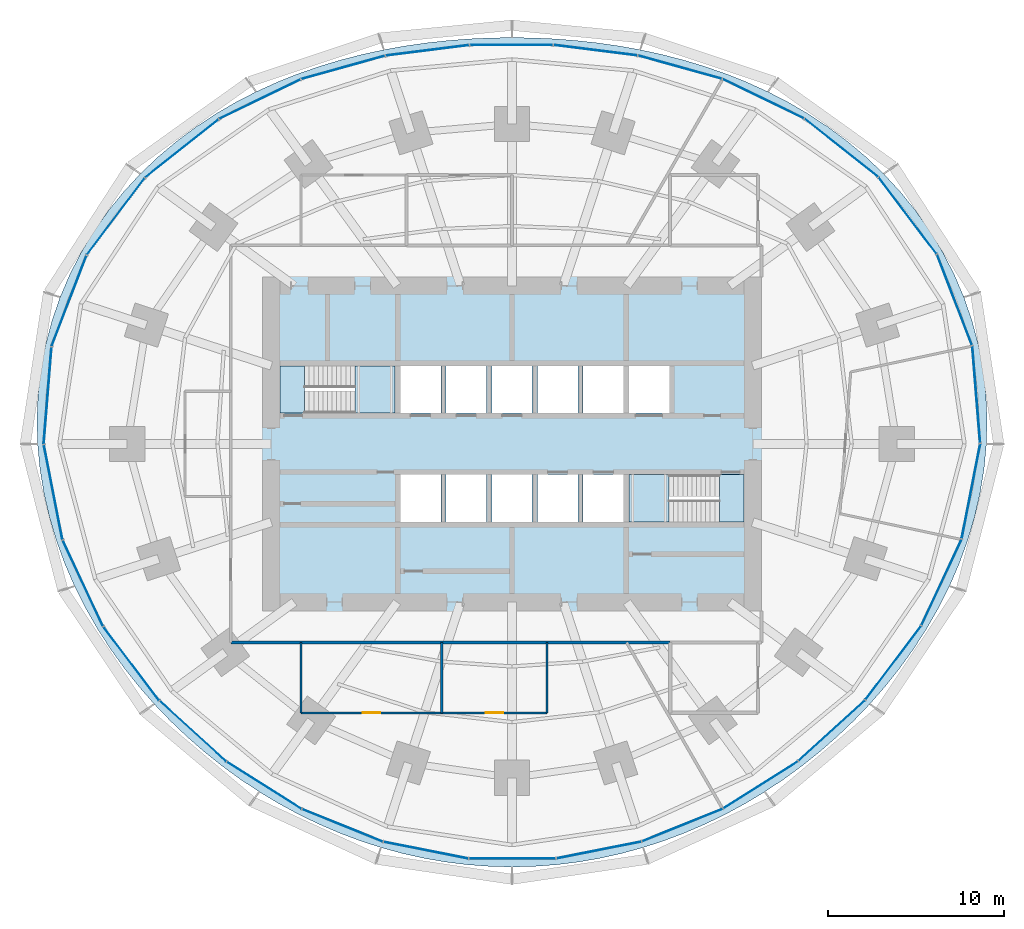
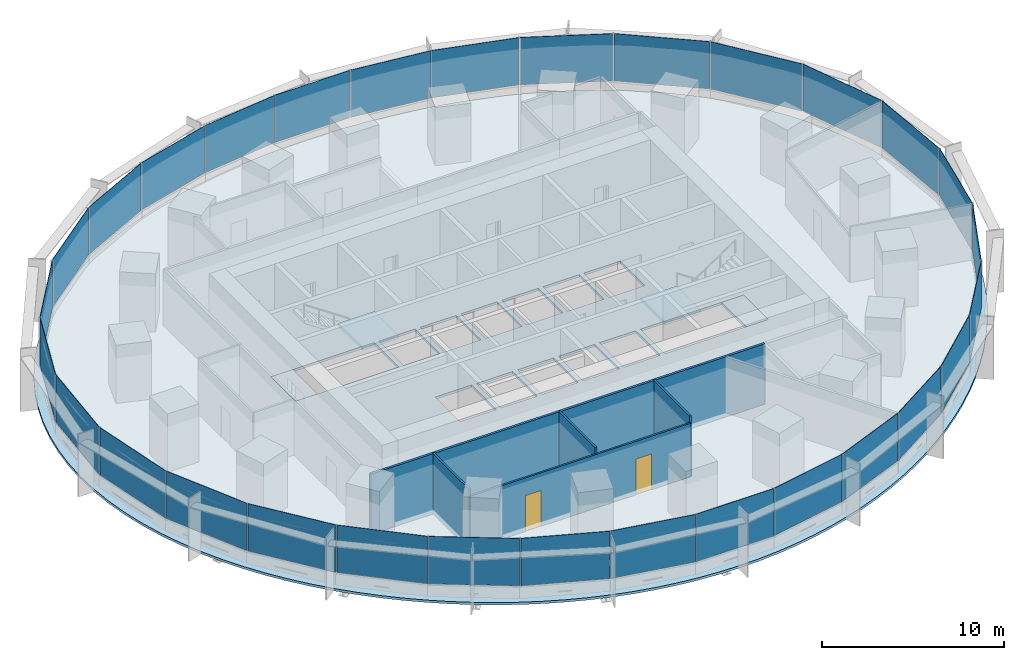
# One storey, part 10 of 15: 30 plates, 5 slabs, 5 walls, 2 doors, 2 openings, 8 elements without a shape of their own.
"""IFC4 building model written with IfcOpenShell, lengths in metres."""

from ifc_helpers import new_model, si_unit, direction, frame, frame_2d, origin, origin_2d, place, context, subcontext, project, spatial, polyline, rectangle, outline, extrude, material, layer, layer_set, type_object, element, fill, aggregate, save


model = new_model("IFC4")

# Units and contexts
model_context = context("Model", 3, precision=1e-05, world=origin(), true_north=direction((0.0, 1.0)))
body_context = subcontext(model_context, "Body", "Model", "MODEL_VIEW")
ifc_project = project(units=[si_unit("LENGTHUNIT", "METRE"), si_unit("AREAUNIT", "SQUARE_METRE"), si_unit("VOLUMEUNIT", "CUBIC_METRE"), si_unit("PLANEANGLEUNIT", "RADIAN"), si_unit("MASSUNIT", "GRAM", prefix="KILO")], contexts=[model_context])

# Site, building, storey
site_placement = place(None, origin())
site = spatial("IfcSite", under=ifc_project, at=site_placement, CompositionType="ELEMENT")
building_placement = place(site_placement, origin())
building = spatial("IfcBuilding", under=site, at=building_placement, Name="Marramba Exchange Tower", CompositionType="ELEMENT")
storey_placement = place(building_placement, frame((0.0, 0.0, 78.39990234375)))
storey = spatial("IfcBuildingStorey", under=building, at=storey_placement, Name="L18", CompositionType="ELEMENT", Elevation=78.39990234375)

# Slab
ifc_material_1 = material(Name="Concrete N40", Category="concrete")
ifc_layer_1 = layer(ifc_material_1, 0.159912109375)
ifc_layer_set_1 = layer_set([ifc_layer_1], Name="Composite floor slab 160")
slab_type_1 = type_object("IfcSlabType", Name="Composite floor slab 160", PredefinedType="FLOOR", material=ifc_layer_set_1)
slab_1_placement = place(storey_placement, frame((0.0, 0.0, -0.159912109375)))
element("IfcSlab", 1, at=slab_1_placement, inside=storey, type_object=slab_type_1, Name="Floor slab L18", PredefinedType="FLOOR", context=body_context, shape_type="SweptSolid", body=[
    extrude(outline(polyline([(27.0, 0.0), (27.035888671875, 1.4169921875), (26.97265625, 2.8349609375), (26.80859375, 4.24609375), (26.5439453125, 5.64208984375), (26.179443359375, 7.0146484375), (25.717529296875, 8.356201171875), (25.16162109375, 9.65869140625), (24.516357421875, 10.915283203125), (23.786865234375, 12.1201171875), (22.9794921875, 13.267333984375), (22.10107421875, 14.3525390625), (21.158447265625, 15.37255859375), (20.159423828125, 16.32470703125), (19.11083984375, 17.20751953125), (18.020263671875, 18.020263671875), (16.89453125, 18.763427734375), (15.740478515625, 19.437744140625), (14.563720703125, 20.04541015625), (13.3701171875, 20.588134765625), (12.164306640625, 21.069091796875), (10.9501953125, 21.4912109375), (9.7314453125, 21.857421875), (8.5107421875, 22.1708984375), (7.289794921875, 22.435302734375), (6.06982421875, 22.6533203125), (4.85205078125, 22.827392578125), (3.636474609375, 22.96044921875), (2.423095703125, 23.053955078125), (1.211181640625, 23.109619140625), (0.0, 23.1279296875), (-1.211181640625, 23.109619140625), (-2.423095703125, 23.053955078125), (-3.636474609375, 22.96044921875), (-4.85205078125, 22.827392578125), (-6.06982421875, 22.6533203125), (-7.289794921875, 22.435302734375), (-8.5107421875, 22.1708984375), (-9.7314453125, 21.857421875), (-10.9501953125, 21.4912109375), (-12.164306640625, 21.069091796875), (-13.3701171875, 20.588134765625), (-14.563720703125, 20.04541015625), (-15.740478515625, 19.437744140625), (-16.89453125, 18.763427734375), (-18.020263671875, 18.020263671875), (-19.11083984375, 17.20751953125), (-20.159423828125, 16.32470703125), (-21.158447265625, 15.37255859375), (-22.10107421875, 14.3525390625), (-22.9794921875, 13.267333984375), (-23.786865234375, 12.1201171875), (-24.516357421875, 10.915283203125), (-25.16162109375, 9.65869140625), (-25.717529296875, 8.356201171875), (-26.179443359375, 7.0146484375), (-26.5439453125, 5.64208984375), (-26.80859375, 4.24609375), (-26.97265625, 2.8349609375), (-27.035888671875, 1.4169921875), (-27.0, 0.0), (-26.8671875, -1.407958984375), (-26.64111328125, -2.800048828125), (-26.326171875, -4.169677734375), (-25.927001953125, -5.510986328125), (-25.44921875, -6.819091796875), (-24.8984375, -8.090087890625), (-24.280517578125, -9.320556640625), (-23.60107421875, -10.5078125), (-22.865234375, -11.650390625), (-22.078369140625, -12.7470703125), (-21.244873046875, -13.796630859375), (-20.36865234375, -14.798583984375), (-19.453369140625, -15.753173828125), (-18.502197265625, -16.659423828125), (-17.517578125, -17.517578125), (-16.501953125, -18.327392578125), (-15.457275390625, -19.088134765625), (-14.385009765625, -19.799072265625), (-13.286865234375, -20.459716796875), (-12.164306640625, -21.069091796875), (-11.01904296875, -21.6259765625), (-9.8525390625, -22.129150390625), (-8.66650390625, -22.577392578125), (-7.463134765625, -22.968994140625), (-6.244140625, -23.30322265625), (-5.01171875, -23.578369140625), (-3.7685546875, -23.793701171875), (-2.51708984375, -23.947998046875), (-1.260009765625, -24.041015625), (0.0, -24.072021484375), (1.260009765625, -24.041015625), (2.51708984375, -23.947998046875), (3.7685546875, -23.793701171875), (5.01171875, -23.578369140625), (6.244140625, -23.30322265625), (7.463134765625, -22.968994140625), (8.66650390625, -22.577392578125), (9.8525390625, -22.129150390625), (11.01904296875, -21.6259765625), (12.164306640625, -21.069091796875), (13.286865234375, -20.459716796875), (14.385009765625, -19.799072265625), (15.457275390625, -19.088134765625), (16.501953125, -18.327392578125), (17.517578125, -17.517578125), (18.502197265625, -16.659423828125), (19.453369140625, -15.753173828125), (20.36865234375, -14.798583984375), (21.244873046875, -13.796630859375), (22.078369140625, -12.7470703125), (22.865234375, -11.650390625), (23.60107421875, -10.5078125), (24.280517578125, -9.320556640625), (24.8984375, -8.090087890625), (25.44921875, -6.819091796875), (25.927001953125, -5.510986328125), (26.326171875, -4.169677734375), (26.64111328125, -2.800048828125), (26.8671875, -1.407958984375), (27.0, 0.0)]), holes=[polyline([(-6.35009765625, 1.75), (-4.050048828125, 1.75), (-4.050048828125, 4.449951171875), (-6.35009765625, 4.449951171875), (-6.35009765625, 1.75)]), polyline([(-3.75, 1.75), (-1.449951171875, 1.75), (-1.449951171875, 4.449951171875), (-3.75, 4.449951171875), (-3.75, 1.75)]), polyline([(-1.14990234375, 1.75), (1.14990234375, 1.75), (1.14990234375, 4.449951171875), (-1.14990234375, 4.449951171875), (-1.14990234375, 1.75)]), polyline([(1.449951171875, 1.75), (3.75, 1.75), (3.75, 4.449951171875), (1.449951171875, 4.449951171875), (1.449951171875, 1.75)]), polyline([(4.050048828125, 1.75), (6.35009765625, 1.75), (6.35009765625, 4.449951171875), (4.050048828125, 4.449951171875), (4.050048828125, 1.75)]), polyline([(-6.35009765625, -4.449951171875), (-4.050048828125, -4.449951171875), (-4.050048828125, -1.75), (-6.35009765625, -1.75), (-6.35009765625, -4.449951171875)]), polyline([(-3.75, -4.449951171875), (-1.449951171875, -4.449951171875), (-1.449951171875, -1.75), (-3.75, -1.75), (-3.75, -4.449951171875)]), polyline([(-1.14990234375, -4.449951171875), (1.14990234375, -4.449951171875), (1.14990234375, -1.75), (-1.14990234375, -1.75), (-1.14990234375, -4.449951171875)]), polyline([(1.449951171875, -4.449951171875), (3.75, -4.449951171875), (3.75, -1.75), (1.449951171875, -1.75), (1.449951171875, -4.449951171875)]), polyline([(4.050048828125, -4.449951171875), (6.35009765625, -4.449951171875), (6.35009765625, -1.75), (4.050048828125, -1.75), (4.050048828125, -4.449951171875)]), polyline([(6.64990234375, 1.75), (8.949951171875, 1.75), (8.949951171875, 4.449951171875), (6.64990234375, 4.449951171875), (6.64990234375, 1.75)]), polyline([(-13.199951171875, 1.75), (-6.64990234375, 1.75), (-6.64990234375, 4.449951171875), (-13.199951171875, 4.449951171875), (-13.199951171875, 1.75)]), polyline([(6.64990234375, -4.449951171875), (13.199951171875, -4.449951171875), (13.199951171875, -1.75), (6.64990234375, -1.75), (6.64990234375, -4.449951171875)])]), origin(), (0.0, 0.0, 1.0), 0.159912109375),
])

# Stair, slabs
ifc_material_2 = material(Name="Concrete N40 (40 MPa)", Category="concrete")
stair_type_1 = type_object("IfcStairType", Name="Exit stair ST1 4200 x 1250", PredefinedType="HALF_TURN_STAIR", material=ifc_material_2)
stair_1_placement = place(storey_placement, origin())
stair_1 = element("IfcStair", 2, at=stair_1_placement, inside=storey, type_object=stair_type_1, Name="Exit stair ST1 L18", PredefinedType="HALF_TURN_STAIR")
ifc_layer_2 = layer(ifc_material_2, 0.199951171875)
ifc_layer_set_2 = layer_set([ifc_layer_2], Name="Stair landing 200")
slab_type_2 = type_object("IfcSlabType", Name="Stair landing 200", PredefinedType="LANDING", material=ifc_layer_set_2)
slab_2_placement = place(storey_placement, frame((0.0, 0.0, -0.199951171875)))
slab_2 = element("IfcSlab", 3, at=slab_2_placement, type_object=slab_type_2, Name="ST1 landing 1", PredefinedType="LANDING", context=body_context, shape_type="SweptSolid", body=[
    extrude(outline(polyline([(-13.199951171875, 1.75), (-11.800048828125, 1.75), (-11.800048828125, 4.449951171875), (-13.199951171875, 4.449951171875), (-13.199951171875, 1.75)])), origin(), (0.0, 0.0, 1.0), 0.199951171875),
])
slab_3_placement = place(storey_placement, frame((0.0, 0.0, 1.900146484375)))
slab_3 = element("IfcSlab", 4, at=slab_3_placement, type_object=slab_type_2, Name="ST1 landing 2", PredefinedType="LANDING", context=body_context, shape_type="SweptSolid", body=[
    extrude(outline(polyline([(-8.93994140625, 1.75), (-6.64990234375, 1.75), (-6.64990234375, 4.449951171875), (-8.93994140625, 4.449951171875), (-8.93994140625, 1.75)])), origin(), (0.0, 0.0, 1.0), 0.199951171875),
])
aggregate(stair_1, [slab_2, slab_3])

stair_type_2 = type_object("IfcStairType", Name="Exit stair ST2 4200 x 1250", PredefinedType="HALF_TURN_STAIR", material=ifc_material_2)
stair_2_placement = place(storey_placement, origin())
stair_2 = element("IfcStair", 5, at=stair_2_placement, inside=storey, type_object=stair_type_2, Name="Exit stair ST2 L18", PredefinedType="HALF_TURN_STAIR")
slab_4_placement = place(storey_placement, frame((0.0, 0.0, -0.199951171875)))
slab_4 = element("IfcSlab", 6, at=slab_4_placement, type_object=slab_type_2, Name="ST2 landing 1", PredefinedType="LANDING", context=body_context, shape_type="SweptSolid", body=[
    extrude(outline(polyline([(11.800048828125, -4.449951171875), (13.199951171875, -4.449951171875), (13.199951171875, -1.75), (11.800048828125, -1.75), (11.800048828125, -4.449951171875)])), origin(), (0.0, 0.0, 1.0), 0.199951171875),
])
slab_5_placement = place(storey_placement, frame((0.0, 0.0, 1.900146484375)))
slab_5 = element("IfcSlab", 7, at=slab_5_placement, type_object=slab_type_2, Name="ST2 landing 2", PredefinedType="LANDING", context=body_context, shape_type="SweptSolid", body=[
    extrude(outline(polyline([(6.64990234375, -4.449951171875), (8.93994140625, -4.449951171875), (8.93994140625, -1.75), (6.64990234375, -1.75), (6.64990234375, -4.449951171875)])), origin(), (0.0, 0.0, 1.0), 0.199951171875),
])
aggregate(stair_2, [slab_4, slab_5])

# Curtain wall, plates
ifc_material_3 = material(Name="Aluminium framing, bronze anodised", Category="aluminium")
curtain_wall_type = type_object("IfcCurtainWallType", Name="Trading floor ribbon curtain wall", PredefinedType="USERDEFINED", material=ifc_material_3)
curtain_wall_1_placement = place(storey_placement, origin())
curtain_wall_1 = element("IfcCurtainWall", 8, at=curtain_wall_1_placement, inside=storey, type_object=curtain_wall_type, Name="Curtain wall CW3 L18 F01-F05", ObjectType="RIBBON CURTAIN WALL", PredefinedType="USERDEFINED")
ifc_material_4 = material(Name="Double glazed unit 10 + 12 + 8.76, bronze tinted", Category="glass")
ifc_layer_3 = layer(ifc_material_4, 0.03076171875)
ifc_layer_set_3 = layer_set([ifc_layer_3], Name="Trading floor ribbon curtain wall panel")
plate_type = type_object("IfcPlateType", Name="Trading floor ribbon curtain wall panel", PredefinedType="CURTAIN_PANEL", material=ifc_layer_set_3)
plate_1_placement = place(storey_placement, frame((26.42333984375, 2.814453125, 0.8603515625), z_axis=(0.0, 0.0, 1.0), x_axis=(-0.080275225953, 0.996772736434, 0.0)))
plate_1 = element("IfcPlate", 9, at=plate_1_placement, type_object=plate_type, Name="CW3 vision panel", PredefinedType="CURTAIN_PANEL", context=body_context, shape_type="SweptSolid", body=[
    extrude(rectangle(XDim=5.52734375, YDim=0.03076171875, at=origin_2d()), origin(), (0.0, 0.0, 1.0), 3.179931640625),
])
plate_2_placement = place(storey_placement, frame((25.188232421875, 8.19921875, 0.8603515625), z_axis=(0.0, 0.0, 1.0), x_axis=(-0.359525510698, 0.933135256626, 0.0)))
plate_2 = element("IfcPlate", 10, at=plate_2_placement, type_object=plate_type, Name="CW3 vision panel", PredefinedType="CURTAIN_PANEL", context=body_context, shape_type="SweptSolid", body=[
    extrude(rectangle(XDim=5.5166015625, YDim=0.03076171875, at=origin_2d()), origin(), (0.0, 0.0, 1.0), 3.179931640625),
])
plate_3_placement = place(storey_placement, frame((22.517822265625, 12.993896484375, 0.8603515625), z_axis=(0.0, 0.0, 1.0), x_axis=(-0.602989765036, 0.797748922445, 0.0)))
plate_3 = element("IfcPlate", 11, at=plate_3_placement, type_object=plate_type, Name="CW3 vision panel", PredefinedType="CURTAIN_PANEL", context=body_context, shape_type="SweptSolid", body=[
    extrude(rectangle(XDim=5.44775390625, YDim=0.03076171875, at=origin_2d()), origin(), (0.0, 0.0, 1.0), 3.179931640625),
])
plate_4_placement = place(storey_placement, frame((18.744384765625, 16.853759765625, 0.8603515625), z_axis=(0.0, 0.0, 1.0), x_axis=(-0.784087949432, 0.620649730166, 0.0)))
plate_4 = element("IfcPlate", 12, at=plate_4_placement, type_object=plate_type, Name="CW3 vision panel", PredefinedType="CURTAIN_PANEL", context=body_context, shape_type="SweptSolid", body=[
    extrude(rectangle(XDim=5.315673828125, YDim=0.03076171875, at=origin_2d()), origin(), (0.0, 0.0, 1.0), 3.179931640625),
])
plate_5_placement = place(storey_placement, frame((14.2978515625, 19.647705078125, 0.8603515625), z_axis=(0.0, 0.0, 1.0), x_axis=(-0.899963433508, 0.43596538664, 0.0)))
plate_5 = element("IfcPlate", 13, at=plate_5_placement, type_object=plate_type, Name="CW3 vision panel", PredefinedType="CURTAIN_PANEL", context=body_context, shape_type="SweptSolid", body=[
    extrude(rectangle(XDim=5.13037109375, YDim=0.03076171875, at=origin_2d()), origin(), (0.0, 0.0, 1.0), 3.179931640625),
])
aggregate(curtain_wall_1, [plate_1, plate_2, plate_3, plate_4, plate_5])

curtain_wall_2_placement = place(storey_placement, origin())
curtain_wall_2 = element("IfcCurtainWall", 14, at=curtain_wall_2_placement, inside=storey, type_object=curtain_wall_type, Name="Curtain wall CW3 L18 F06-F10", ObjectType="RIBBON CURTAIN WALL", PredefinedType="USERDEFINED")
plate_6_placement = place(storey_placement, frame((9.556396484375, 21.4423828125, 0.8603515625), z_axis=(0.0, 0.0, 1.0), x_axis=(-0.963472096649, 0.267808735815, 0.0)))
plate_6 = element("IfcPlate", 15, at=plate_6_placement, type_object=plate_type, Name="CW3 vision panel", PredefinedType="CURTAIN_PANEL", context=body_context, shape_type="SweptSolid", body=[
    extrude(rectangle(XDim=4.929931640625, YDim=0.03076171875, at=origin_2d()), origin(), (0.0, 0.0, 1.0), 3.179931640625),
])
plate_7_placement = place(storey_placement, frame((4.754150390625, 22.407958984375, 0.8603515625), z_axis=(0.0, 0.0, 1.0), x_axis=(-0.992172768738, 0.124872723099, 0.0)))
plate_7 = element("IfcPlate", 16, at=plate_7_placement, type_object=plate_type, Name="CW3 vision panel", PredefinedType="CURTAIN_PANEL", context=body_context, shape_type="SweptSolid", body=[
    extrude(rectangle(XDim=4.77294921875, YDim=0.03076171875, at=origin_2d()), origin(), (0.0, 0.0, 1.0), 3.179931640625),
])
plate_8_placement = place(storey_placement, frame((-0.030029296875, 22.7060546875, 0.8603515625), z_axis=(0.0, 0.0, 1.0), x_axis=(-1.0, 0.0, 0.0)))
plate_8 = element("IfcPlate", 17, at=plate_8_placement, type_object=plate_type, Name="CW3 vision panel", PredefinedType="CURTAIN_PANEL", context=body_context, shape_type="SweptSolid", body=[
    extrude(rectangle(XDim=4.712890625, YDim=0.03076171875, at=origin_2d()), origin(), (0.0, 0.0, 1.0), 3.179931640625),
])
plate_9_placement = place(storey_placement, frame((-4.813720703125, 22.400390625, 0.8603515625), z_axis=(0.0, 0.0, 1.0), x_axis=(-0.992172768738, -0.124872723099, 0.0)))
plate_9 = element("IfcPlate", 18, at=plate_9_placement, type_object=plate_type, Name="CW3 vision panel", PredefinedType="CURTAIN_PANEL", context=body_context, shape_type="SweptSolid", body=[
    extrude(rectangle(XDim=4.77294921875, YDim=0.03076171875, at=origin_2d()), origin(), (0.0, 0.0, 1.0), 3.179931640625),
])
plate_10_placement = place(storey_placement, frame((-9.6142578125, 21.42626953125, 0.8603515625), z_axis=(0.0, 0.0, 1.0), x_axis=(-0.963472096649, -0.267808735815, 0.0)))
plate_10 = element("IfcPlate", 19, at=plate_10_placement, type_object=plate_type, Name="CW3 vision panel", PredefinedType="CURTAIN_PANEL", context=body_context, shape_type="SweptSolid", body=[
    extrude(rectangle(XDim=4.929931640625, YDim=0.03076171875, at=origin_2d()), origin(), (0.0, 0.0, 1.0), 3.179931640625),
])
aggregate(curtain_wall_2, [plate_6, plate_7, plate_8, plate_9, plate_10])

curtain_wall_3_placement = place(storey_placement, origin())
curtain_wall_3 = element("IfcCurtainWall", 20, at=curtain_wall_3_placement, inside=storey, type_object=curtain_wall_type, Name="Curtain wall CW3 L18 F11-F15", ObjectType="RIBBON CURTAIN WALL", PredefinedType="USERDEFINED")
plate_11_placement = place(storey_placement, frame((-14.351806640625, 19.62158203125, 0.8603515625), z_axis=(0.0, 0.0, 1.0), x_axis=(-0.899963433508, -0.43596538664, 0.0)))
plate_11 = element("IfcPlate", 21, at=plate_11_placement, type_object=plate_type, Name="CW3 vision panel", PredefinedType="CURTAIN_PANEL", context=body_context, shape_type="SweptSolid", body=[
    extrude(rectangle(XDim=5.13037109375, YDim=0.03076171875, at=origin_2d()), origin(), (0.0, 0.0, 1.0), 3.179931640625),
])
plate_12_placement = place(storey_placement, frame((-18.79150390625, 16.81640625, 0.8603515625), z_axis=(0.0, 0.0, 1.0), x_axis=(-0.784087949432, -0.620649730166, 0.0)))
plate_12 = element("IfcPlate", 22, at=plate_12_placement, type_object=plate_type, Name="CW3 vision panel", PredefinedType="CURTAIN_PANEL", context=body_context, shape_type="SweptSolid", body=[
    extrude(rectangle(XDim=5.315673828125, YDim=0.03076171875, at=origin_2d()), origin(), (0.0, 0.0, 1.0), 3.179931640625),
])
plate_13_placement = place(storey_placement, frame((-22.553955078125, 12.946044921875, 0.8603515625), z_axis=(0.0, 0.0, 1.0), x_axis=(-0.602989765036, -0.797748922445, 0.0)))
plate_13 = element("IfcPlate", 23, at=plate_13_placement, type_object=plate_type, Name="CW3 vision panel", PredefinedType="CURTAIN_PANEL", context=body_context, shape_type="SweptSolid", body=[
    extrude(rectangle(XDim=5.44775390625, YDim=0.03076171875, at=origin_2d()), origin(), (0.0, 0.0, 1.0), 3.179931640625),
])
plate_14_placement = place(storey_placement, frame((-25.209716796875, 8.14306640625, 0.8603515625), z_axis=(0.0, 0.0, 1.0), x_axis=(-0.359525510698, -0.933135256626, 0.0)))
plate_14 = element("IfcPlate", 24, at=plate_14_placement, type_object=plate_type, Name="CW3 vision panel", PredefinedType="CURTAIN_PANEL", context=body_context, shape_type="SweptSolid", body=[
    extrude(rectangle(XDim=5.5166015625, YDim=0.03076171875, at=origin_2d()), origin(), (0.0, 0.0, 1.0), 3.179931640625),
])
plate_15_placement = place(storey_placement, frame((-26.42822265625, 2.754638671875, 0.8603515625), z_axis=(0.0, 0.0, 1.0), x_axis=(-0.080275225953, -0.996772736434, 0.0)))
plate_15 = element("IfcPlate", 25, at=plate_15_placement, type_object=plate_type, Name="CW3 vision panel", PredefinedType="CURTAIN_PANEL", context=body_context, shape_type="SweptSolid", body=[
    extrude(rectangle(XDim=5.52734375, YDim=0.03076171875, at=origin_2d()), origin(), (0.0, 0.0, 1.0), 3.179931640625),
])
aggregate(curtain_wall_3, [plate_11, plate_12, plate_13, plate_14, plate_15])

curtain_wall_4_placement = place(storey_placement, origin())
curtain_wall_4 = element("IfcCurtainWall", 26, at=curtain_wall_4_placement, inside=storey, type_object=curtain_wall_type, Name="Curtain wall CW3 L18 F16-F20", ObjectType="RIBBON CURTAIN WALL", PredefinedType="USERDEFINED")
plate_16_placement = place(storey_placement, frame((-26.111572265625, -2.74853515625, 0.8603515625), z_axis=(0.0, 0.0, 1.0), x_axis=(0.1922485756, -0.981346261612, 0.0)))
plate_16 = element("IfcPlate", 27, at=plate_16_placement, type_object=plate_type, Name="CW3 vision panel", PredefinedType="CURTAIN_PANEL", context=body_context, shape_type="SweptSolid", body=[
    extrude(rectangle(XDim=5.4814453125, YDim=0.03076171875, at=origin_2d()), origin(), (0.0, 0.0, 1.0), 3.179931640625),
])
plate_17_placement = place(storey_placement, frame((-24.420166015625, -7.928955078125, 0.8603515625), z_axis=(0.0, 0.0, 1.0), x_axis=(0.423477206492, -0.905906758768, 0.0)))
plate_17 = element("IfcPlate", 28, at=plate_17_placement, type_object=plate_type, Name="CW3 vision panel", PredefinedType="CURTAIN_PANEL", context=body_context, shape_type="SweptSolid", body=[
    extrude(rectangle(XDim=5.379150390625, YDim=0.03076171875, at=origin_2d()), origin(), (0.0, 0.0, 1.0), 3.179931640625),
])
plate_18_placement = place(storey_placement, frame((-21.665283203125, -12.503173828125, 0.8603515625), z_axis=(0.0, 0.0, 1.0), x_axis=(0.603040473588, -0.797710591138, 0.0)))
plate_18 = element("IfcPlate", 29, at=plate_18_placement, type_object=plate_type, Name="CW3 vision panel", PredefinedType="CURTAIN_PANEL", context=body_context, shape_type="SweptSolid", body=[
    extrude(rectangle(XDim=5.239501953125, YDim=0.03076171875, at=origin_2d()), origin(), (0.0, 0.0, 1.0), 3.179931640625),
])
plate_19_placement = place(storey_placement, frame((-18.154541015625, -16.350341796875, 0.8603515625), z_axis=(0.0, 0.0, 1.0), x_axis=(0.739589581463, -0.673058133441, 0.0)))
plate_19 = element("IfcPlate", 30, at=plate_19_placement, type_object=plate_type, Name="CW3 vision panel", PredefinedType="CURTAIN_PANEL", context=body_context, shape_type="SweptSolid", body=[
    extrude(rectangle(XDim=5.101806640625, YDim=0.03076171875, at=origin_2d()), origin(), (0.0, 0.0, 1.0), 3.179931640625),
])
plate_20_placement = place(storey_placement, frame((-14.103271484375, -19.4326171875, 0.8603515625), z_axis=(0.0, 0.0, 1.0), x_axis=(0.845790826298, -0.533514646612, 0.0)))
plate_20 = element("IfcPlate", 31, at=plate_20_placement, type_object=plate_type, Name="CW3 vision panel", PredefinedType="CURTAIN_PANEL", context=body_context, shape_type="SweptSolid", body=[
    extrude(rectangle(XDim=4.99853515625, YDim=0.03076171875, at=origin_2d()), origin(), (0.0, 0.0, 1.0), 3.179931640625),
])
aggregate(curtain_wall_4, [plate_16, plate_17, plate_18, plate_19, plate_20])

curtain_wall_5_placement = place(storey_placement, origin())
curtain_wall_5 = element("IfcCurtainWall", 32, at=curtain_wall_5_placement, inside=storey, type_object=curtain_wall_type, Name="Curtain wall CW3 L18 F21-F25", ObjectType="RIBBON CURTAIN WALL", PredefinedType="USERDEFINED")
plate_21_placement = place(storey_placement, frame((-9.644287109375, -21.71240234375, 0.8603515625), z_axis=(0.0, 0.0, 1.0), x_axis=(0.927340673283, -0.374218219325, 0.0)))
plate_21 = element("IfcPlate", 33, at=plate_21_placement, type_object=plate_type, Name="CW3 vision panel", PredefinedType="CURTAIN_PANEL", context=body_context, shape_type="SweptSolid", body=[
    extrude(rectangle(XDim=4.9375, YDim=0.03076171875, at=origin_2d()), origin(), (0.0, 0.0, 1.0), 3.179931640625),
])
plate_22_placement = place(storey_placement, frame((-4.88818359375, -23.1240234375, 0.8603515625), z_axis=(0.0, 0.0, 1.0), x_axis=(0.98100920064, -0.193961202977, 0.0)))
plate_22 = element("IfcPlate", 34, at=plate_22_placement, type_object=plate_type, Name="CW3 vision panel", PredefinedType="CURTAIN_PANEL", context=body_context, shape_type="SweptSolid", body=[
    extrude(rectangle(XDim=4.908935546875, YDim=0.03076171875, at=origin_2d()), origin(), (0.0, 0.0, 1.0), 3.179931640625),
])
plate_23_placement = place(storey_placement, frame((0.030029296875, -23.599853515625, 0.8603515625), z_axis=(0.0, 0.0, 1.0), x_axis=(1.0, 0.0, 0.0)))
plate_23 = element("IfcPlate", 35, at=plate_23_placement, type_object=plate_type, Name="CW3 vision panel", PredefinedType="CURTAIN_PANEL", context=body_context, shape_type="SweptSolid", body=[
    extrude(rectangle(XDim=4.90087890625, YDim=0.03076171875, at=origin_2d()), origin(), (0.0, 0.0, 1.0), 3.179931640625),
])
plate_24_placement = place(storey_placement, frame((4.947021484375, -23.1123046875, 0.8603515625), z_axis=(0.0, 0.0, 1.0), x_axis=(0.98100920064, 0.193961202977, 0.0)))
plate_24 = element("IfcPlate", 36, at=plate_24_placement, type_object=plate_type, Name="CW3 vision panel", PredefinedType="CURTAIN_PANEL", context=body_context, shape_type="SweptSolid", body=[
    extrude(rectangle(XDim=4.908935546875, YDim=0.03076171875, at=origin_2d()), origin(), (0.0, 0.0, 1.0), 3.179931640625),
])
plate_25_placement = place(storey_placement, frame((9.699951171875, -21.68994140625, 0.8603515625), z_axis=(0.0, 0.0, 1.0), x_axis=(0.927340673283, 0.374218219325, 0.0)))
plate_25 = element("IfcPlate", 37, at=plate_25_placement, type_object=plate_type, Name="CW3 vision panel", PredefinedType="CURTAIN_PANEL", context=body_context, shape_type="SweptSolid", body=[
    extrude(rectangle(XDim=4.9375, YDim=0.03076171875, at=origin_2d()), origin(), (0.0, 0.0, 1.0), 3.179931640625),
])
aggregate(curtain_wall_5, [plate_21, plate_22, plate_23, plate_24, plate_25])

curtain_wall_6_placement = place(storey_placement, origin())
curtain_wall_6 = element("IfcCurtainWall", 38, at=curtain_wall_6_placement, inside=storey, type_object=curtain_wall_type, Name="Curtain wall CW3 L18 F26-F30", ObjectType="RIBBON CURTAIN WALL", PredefinedType="USERDEFINED")
plate_26_placement = place(storey_placement, frame((14.15380859375, -19.400634765625, 0.8603515625), z_axis=(0.0, 0.0, 1.0), x_axis=(0.845790826298, 0.533514646612, 0.0)))
plate_26 = element("IfcPlate", 39, at=plate_26_placement, type_object=plate_type, Name="CW3 vision panel", PredefinedType="CURTAIN_PANEL", context=body_context, shape_type="SweptSolid", body=[
    extrude(rectangle(XDim=4.99853515625, YDim=0.03076171875, at=origin_2d()), origin(), (0.0, 0.0, 1.0), 3.179931640625),
])
plate_27_placement = place(storey_placement, frame((18.19873046875, -16.309814453125, 0.8603515625), z_axis=(0.0, 0.0, 1.0), x_axis=(0.739589581463, 0.673058133441, 0.0)))
plate_27 = element("IfcPlate", 40, at=plate_27_placement, type_object=plate_type, Name="CW3 vision panel", PredefinedType="CURTAIN_PANEL", context=body_context, shape_type="SweptSolid", body=[
    extrude(rectangle(XDim=5.101806640625, YDim=0.03076171875, at=origin_2d()), origin(), (0.0, 0.0, 1.0), 3.179931640625),
])
plate_28_placement = place(storey_placement, frame((21.701416015625, -12.455322265625, 0.8603515625), z_axis=(0.0, 0.0, 1.0), x_axis=(0.603040473588, 0.797710591138, 0.0)))
plate_28 = element("IfcPlate", 41, at=plate_28_placement, type_object=plate_type, Name="CW3 vision panel", PredefinedType="CURTAIN_PANEL", context=body_context, shape_type="SweptSolid", body=[
    extrude(rectangle(XDim=5.239501953125, YDim=0.03076171875, at=origin_2d()), origin(), (0.0, 0.0, 1.0), 3.179931640625),
])
plate_29_placement = place(storey_placement, frame((24.44580078125, -7.874755859375, 0.8603515625), z_axis=(0.0, 0.0, 1.0), x_axis=(0.423477206492, 0.905906758768, 0.0)))
plate_29 = element("IfcPlate", 42, at=plate_29_placement, type_object=plate_type, Name="CW3 vision panel", PredefinedType="CURTAIN_PANEL", context=body_context, shape_type="SweptSolid", body=[
    extrude(rectangle(XDim=5.379150390625, YDim=0.03076171875, at=origin_2d()), origin(), (0.0, 0.0, 1.0), 3.179931640625),
])
plate_30_placement = place(storey_placement, frame((26.123046875, -2.689697265625, 0.8603515625), z_axis=(0.0, 0.0, 1.0), x_axis=(0.1922485756, 0.981346261612, 0.0)))
plate_30 = element("IfcPlate", 43, at=plate_30_placement, type_object=plate_type, Name="CW3 vision panel", PredefinedType="CURTAIN_PANEL", context=body_context, shape_type="SweptSolid", body=[
    extrude(rectangle(XDim=5.4814453125, YDim=0.03076171875, at=origin_2d()), origin(), (0.0, 0.0, 1.0), 3.179931640625),
])
aggregate(curtain_wall_6, [plate_26, plate_27, plate_28, plate_29, plate_30])

# Wall
ifc_material_5 = material(Name="Plasterboard on steel studs", Category="steel")
ifc_layer_4 = layer(ifc_material_5, 0.1201171875)
ifc_layer_set_4 = layer_set([ifc_layer_4], Name="Partition 120")
wall_type_1 = type_object("IfcWallType", Name="Partition 120", PredefinedType="PARTITIONING", material=ifc_layer_set_4)
wall_1_placement = place(storey_placement, frame((-12.0, -11.300048828125, 0.0), z_axis=(0.0, 0.0, 1.0), x_axis=(0.0, -1.0, 0.0)))
element("IfcWall", 44, at=wall_1_placement, inside=storey, type_object=wall_type_1, Name="Partition L18 02", PredefinedType="PARTITIONING", context=body_context, shape_type="SweptSolid", body=[
    extrude(rectangle(XDim=4.0, YDim=0.1201171875, at=frame_2d((2.0, 0.0))), origin(), (0.0, 0.0, 1.0), 4.0400390625),
])

# Wall, openings, doors
wall_2_placement = place(storey_placement, frame((-12.0, -15.300048828125, 0.0), z_axis=(0.0, 0.0, 1.0), x_axis=(1.0, 0.0, 0.0)))
wall_2 = element("IfcWall", 45, at=wall_2_placement, inside=storey, type_object=wall_type_1, Name="Partition L18 03", PredefinedType="PARTITIONING", context=body_context, shape_type="SweptSolid", body=[
    extrude(rectangle(XDim=14.0, YDim=0.1201171875, at=frame_2d((7.0, 0.0))), origin(), (0.0, 0.0, 1.0), 3.586181640625),
])
opening_1_placement = place(wall_2_placement, frame((3.5, 0.0, 0.0)))
opening_1 = element("IfcOpeningElement", 46, at=opening_1_placement, cuts=wall_2, Name="Opening D9", PredefinedType="OPENING", context=body_context, shape_type="SweptSolid", body=[
    extrude(rectangle(XDim=1.0, YDim=2.39990234375, at=frame_2d((0.5, 1.199951171875))), frame((0.0, 0.070068359375, 0.0), z_axis=(0.0, -1.0, 0.0), x_axis=(1.0, 0.0, 0.0)), (0.0, 0.0, 1.0), 0.14013671875),
])
opening_2_placement = place(wall_2_placement, frame((10.5, 0.0, 0.0)))
opening_2 = element("IfcOpeningElement", 47, at=opening_2_placement, cuts=wall_2, Name="Opening D9", PredefinedType="OPENING", context=body_context, shape_type="SweptSolid", body=[
    extrude(rectangle(XDim=1.0, YDim=2.39990234375, at=frame_2d((0.5, 1.199951171875))), frame((0.0, 0.070068359375, 0.0), z_axis=(0.0, -1.0, 0.0), x_axis=(1.0, 0.0, 0.0)), (0.0, 0.0, 1.0), 0.14013671875),
])
ifc_material_6 = material(Name="Timber door", Category="wood")
door_type = type_object("IfcDoorType", Name="Room door 1000x2400", OperationType="SINGLE_SWING_LEFT", PredefinedType="DOOR", material=ifc_material_6)
door_1_placement = place(opening_1_placement, origin())
door_1 = element("IfcDoor", 48, at=door_1_placement, inside=storey, type_object=door_type, Name="D9 Clearing Office L18", OperationType="SINGLE_SWING_RIGHT", OverallHeight=2.39990234375, OverallWidth=1.0, PredefinedType="DOOR", context=body_context, shape_type="SweptSolid", body=[
    extrude(rectangle(XDim=1.0, YDim=2.39990234375, at=frame_2d((0.5, 1.199951171875))), frame((0.0, 0.02490234375, 0.0), z_axis=(0.0, -1.0, 0.0), x_axis=(1.0, 0.0, 0.0)), (0.0, 0.0, 1.0), 0.050048828125),
])
fill(opening_1, door_1)
door_2_placement = place(opening_2_placement, origin())
door_2 = element("IfcDoor", 49, at=door_2_placement, inside=storey, type_object=door_type, Name="D9 Pantry L18", OperationType="SINGLE_SWING_RIGHT", OverallHeight=2.39990234375, OverallWidth=1.0, PredefinedType="DOOR", context=body_context, shape_type="SweptSolid", body=[
    extrude(rectangle(XDim=1.0, YDim=2.39990234375, at=frame_2d((0.5, 1.199951171875))), frame((0.0, 0.02490234375, 0.0), z_axis=(0.0, -1.0, 0.0), x_axis=(1.0, 0.0, 0.0)), (0.0, 0.0, 1.0), 0.050048828125),
])
fill(opening_2, door_2)

# Walls
for number, where, z_axis, x_axis, name in (
    (50, (-4.0, -11.300048828125, 0.0), (0.0, 0.0, 1.0), (0.0, -1.0, 0.0), "Partition L18 05"),
    (51, (2.0, -15.300048828125, 0.0), (0.0, 0.0, 1.0), (0.0, 1.0, 0.0), "Partition L18 06"),
):
    element("IfcWall", number, at=place(storey_placement, frame(where, z_axis=z_axis, x_axis=x_axis)), inside=storey, type_object=wall_type_1, Name=name, PredefinedType="PARTITIONING", context=body_context, shape_type="SweptSolid", body=[
        extrude(rectangle(XDim=4.0, YDim=0.1201171875, at=frame_2d((2.0, 0.0))), origin(), (0.0, 0.0, 1.0), 4.0400390625),
    ])
ifc_material_7 = material(Name="Fire-rated plasterboard on steel studs, acoustic insulation", Category="steel")
ifc_layer_5 = layer(ifc_material_7, 0.14990234375)
ifc_layer_set_5 = layer_set([ifc_layer_5], Name="Tenancy wall 150")
wall_type_2 = type_object("IfcWallType", Name="Tenancy wall 150", PredefinedType="PARTITIONING", material=ifc_layer_set_5)
wall_3_placement = place(storey_placement, frame((-16.0, -11.300048828125, 0.0), z_axis=(0.0, 0.0, 1.0), x_axis=(1.0, 0.0, 0.0)))
element("IfcWall", 52, at=wall_3_placement, inside=storey, type_object=wall_type_2, Name="Tenancy wall L18 04", PredefinedType="PARTITIONING", context=body_context, shape_type="SweptSolid", body=[
    extrude(rectangle(XDim=25.0, YDim=0.14990234375, at=frame_2d((12.5, 0.0))), origin(), (0.0, 0.0, 1.0), 4.0400390625),
])

save(model, "model.ifc")
